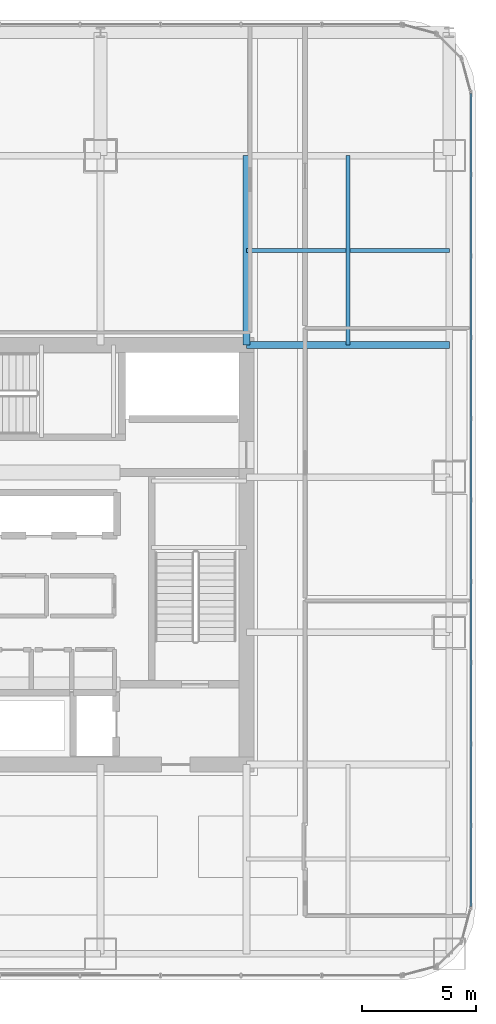
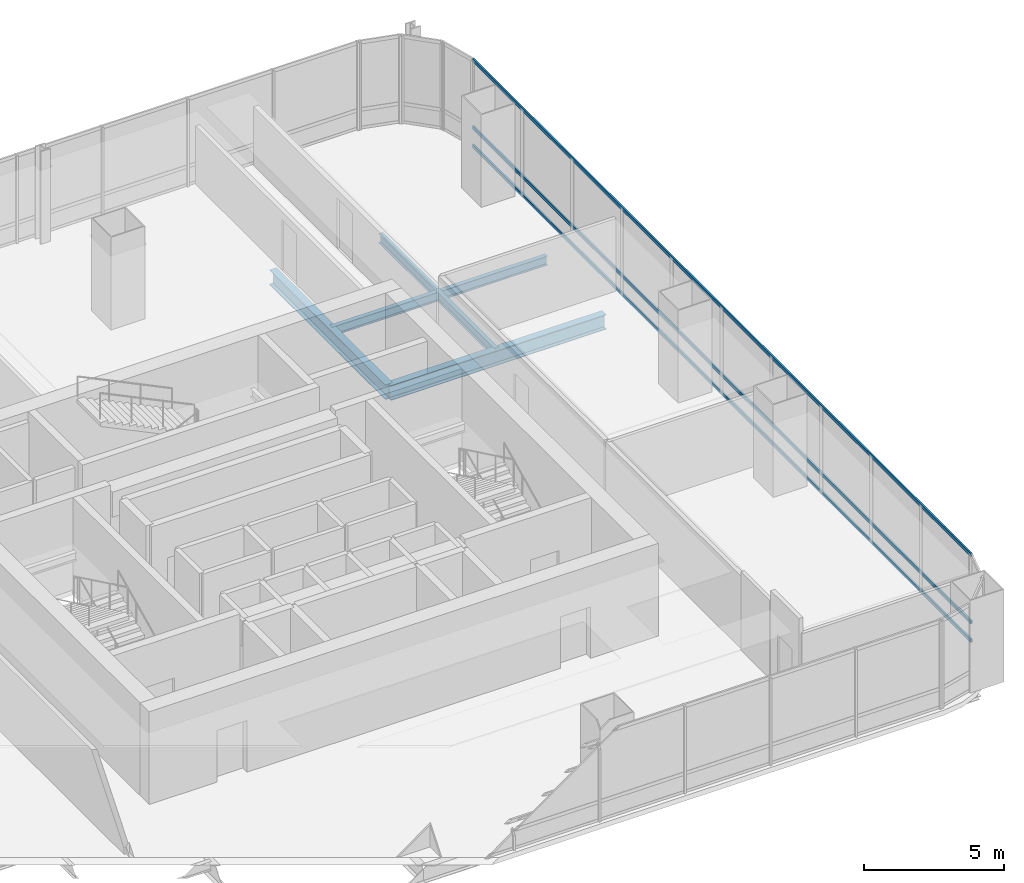
# One storey, part 17 of 38: 4 beams, 3 members, 1 element without a shape of its own.
"""IFC4 building model written with IfcOpenShell, lengths in metres."""

from ifc_helpers import new_model, si_unit, direction, frame, origin, origin_2d, place, context, subcontext, project, spatial, hollow_rectangle, i_section, extrude, material, material_profile, profile_set, type_object, element, aggregate, save


model = new_model("IFC4")

# Units and contexts
model_context = context("Model", 3, precision=1e-05, world=origin(), true_north=direction((0.0, 1.0)))
body_context = subcontext(model_context, "Body", "Model", "MODEL_VIEW")
ifc_project = project(units=[si_unit("LENGTHUNIT", "METRE"), si_unit("AREAUNIT", "SQUARE_METRE"), si_unit("VOLUMEUNIT", "CUBIC_METRE"), si_unit("PLANEANGLEUNIT", "RADIAN"), si_unit("MASSUNIT", "GRAM", prefix="KILO")], contexts=[model_context])

# Site, building, storey
site_placement = place(None, origin())
site = spatial("IfcSite", under=ifc_project, at=site_placement, CompositionType="ELEMENT")
building_placement = place(site_placement, origin())
building = spatial("IfcBuilding", under=site, at=building_placement, Name="Punatoya Terracotta Tower", CompositionType="ELEMENT")
storey_placement = place(building_placement, frame((0.0, 0.0, 151.949951171875)))
storey = spatial("IfcBuildingStorey", under=building, at=storey_placement, Name="L35", CompositionType="ELEMENT", Elevation=151.949951171875)

# Beams
ifc_material_1 = material(Name="Steel S355", Category="steel")
ifc_material_profile_1 = material_profile(ifc_material_1, i_section(OverallWidth=0.300048828125, OverallDepth=0.64990234375, WebThickness=0.01611328125, FlangeThickness=0.031005859375, FilletRadius=0.01806640625, at=origin_2d()))
ifc_profile_set_1 = profile_set([ifc_material_profile_1], Name="Steel S355")
beam_type_1 = type_object("IfcBeamType", Name="BM-PRI-650", PredefinedType="BEAM", material=ifc_profile_set_1)
beam_1_placement = place(storey_placement, frame((10.199951171875, 9.199951171875, -0.544921875), z_axis=(1.0, 0.0, 0.0), x_axis=(0.0, 1.0, 0.0)))
element("IfcBeam", 1, at=beam_1_placement, inside=storey, type_object=beam_type_1, Name="BM-L35-PR-EN", PredefinedType="BEAM", context=body_context, shape_type="SweptSolid", body=[
    extrude(i_section(OverallWidth=0.300048828125, OverallDepth=0.64990234375, WebThickness=0.01611328125, FlangeThickness=0.031005859375, FilletRadius=0.01806640625, at=origin_2d()), origin(), (0.0, 0.0, 1.0), 8.900146484375),
])
beam_2_placement = place(storey_placement, frame((10.199951171875, 9.199951171875, -0.544921875), z_axis=(0.0, 1.0, 0.0), x_axis=(-1.0, 0.0, 0.0)))
element("IfcBeam", 2, at=beam_2_placement, inside=storey, type_object=beam_type_1, Name="BM-L35-PR-N4", PredefinedType="BEAM", context=body_context, shape_type="SweptSolid", body=[
    extrude(i_section(OverallWidth=0.300048828125, OverallDepth=0.64990234375, WebThickness=0.01611328125, FlangeThickness=0.031005859375, FilletRadius=0.01806640625, at=origin_2d()), origin(), (0.0, 0.0, 1.0), 8.300048828125),
])
ifc_material_profile_2 = material_profile(ifc_material_1, i_section(OverallWidth=0.179931640625, OverallDepth=0.39990234375, WebThickness=0.008544921875, FlangeThickness=0.013427734375, FilletRadius=0.01806640625, at=origin_2d()))
ifc_profile_set_2 = profile_set([ifc_material_profile_2], Name="Steel S355")
beam_type_2 = type_object("IfcBeamType", Name="BM-SEC-400", PredefinedType="JOIST", material=ifc_profile_set_2)
beam_3_placement = place(storey_placement, frame((10.199951171875, 13.35009765625, -0.419921875), z_axis=(1.0, 0.0, 0.0), x_axis=(0.0, 1.0, 0.0)))
element("IfcBeam", 3, at=beam_3_placement, inside=storey, type_object=beam_type_2, Name="BM-L35-SJN-2", PredefinedType="JOIST", context=body_context, shape_type="SweptSolid", body=[
    extrude(i_section(OverallWidth=0.179931640625, OverallDepth=0.39990234375, WebThickness=0.008544921875, FlangeThickness=0.013427734375, FilletRadius=0.01806640625, at=origin_2d()), origin(), (0.0, 0.0, 1.0), 8.900146484375),
])
beam_4_placement = place(storey_placement, frame((14.64990234375, 9.199951171875, -0.419921875), z_axis=(0.0, 1.0, 0.0), x_axis=(-1.0, 0.0, 0.0)))
element("IfcBeam", 4, at=beam_4_placement, inside=storey, type_object=beam_type_2, Name="BM-L35-SJE-2", PredefinedType="JOIST", context=body_context, shape_type="SweptSolid", body=[
    extrude(i_section(OverallWidth=0.179931640625, OverallDepth=0.39990234375, WebThickness=0.008544921875, FlangeThickness=0.013427734375, FilletRadius=0.01806640625, at=origin_2d()), origin(), (0.0, 0.0, 1.0), 8.300048828125),
])

# Curtain wall, members
ifc_material_2 = material(Name="Aluminium 6063-T6 + Double Low-E Glass", Category="aluminium")
curtain_wall_type = type_object("IfcCurtainWallType", Name="CW-M2", PredefinedType="NOTDEFINED", material=ifc_material_2)
curtain_wall_placement = place(storey_placement, origin())
curtain_wall = element("IfcCurtainWall", 5, at=curtain_wall_placement, inside=storey, type_object=curtain_wall_type, Name="L35 Curtain Wall CW-L35-E05-1", PredefinedType="NOTDEFINED")
ifc_material_3 = material(Name="Aluminium 6063-T6", Category="aluminium")
ifc_material_profile_3 = material_profile(ifc_material_3, hollow_rectangle(XDim=0.068115234375, YDim=0.14990234375, WallThickness=0.00390625, at=origin_2d()))
ifc_profile_set_3 = profile_set([ifc_material_profile_3], Name="Aluminium 6063-T6")
member_type = type_object("IfcMemberType", Name="CW-TRN-TYP", PredefinedType="USERDEFINED", material=ifc_profile_set_3)
member_1_placement = place(storey_placement, frame((20.050048828125, -15.43701171875, 0.0400390625), z_axis=(0.0, 1.0, 0.0), x_axis=(-1.0, 0.0, 0.0)))
member_1 = element("IfcMember", 6, at=member_1_placement, type_object=member_type, Name="CW-L35-E05-1 Transom 1", ObjectType="TRANSOM", PredefinedType="USERDEFINED", context=body_context, shape_type="SweptSolid", body=[
    extrude(hollow_rectangle(XDim=0.068115234375, YDim=0.14990234375, WallThickness=0.00390625, at=origin_2d()), origin(), (0.0, 0.0, 1.0), 35.673828125),
])
member_2_placement = place(storey_placement, frame((20.050048828125, -15.43701171875, 0.85009765625), z_axis=(0.0, 1.0, 0.0), x_axis=(-1.0, 0.0, 0.0)))
member_2 = element("IfcMember", 7, at=member_2_placement, type_object=member_type, Name="CW-L35-E05-1 Transom 2", ObjectType="TRANSOM", PredefinedType="USERDEFINED", context=body_context, shape_type="SweptSolid", body=[
    extrude(hollow_rectangle(XDim=0.068115234375, YDim=0.14990234375, WallThickness=0.00390625, at=origin_2d()), origin(), (0.0, 0.0, 1.0), 35.673828125),
])
member_3_placement = place(storey_placement, frame((20.050048828125, -15.43701171875, 3.7900390625), z_axis=(0.0, 1.0, 0.0), x_axis=(-1.0, 0.0, 0.0)))
member_3 = element("IfcMember", 8, at=member_3_placement, type_object=member_type, Name="CW-L35-E05-1 Transom 3", ObjectType="TRANSOM", PredefinedType="USERDEFINED", context=body_context, shape_type="SweptSolid", body=[
    extrude(hollow_rectangle(XDim=0.068115234375, YDim=0.14990234375, WallThickness=0.00390625, at=origin_2d()), origin(), (0.0, 0.0, 1.0), 35.673828125),
])
aggregate(curtain_wall, [member_1, member_2, member_3])

save(model, "model.ifc")
